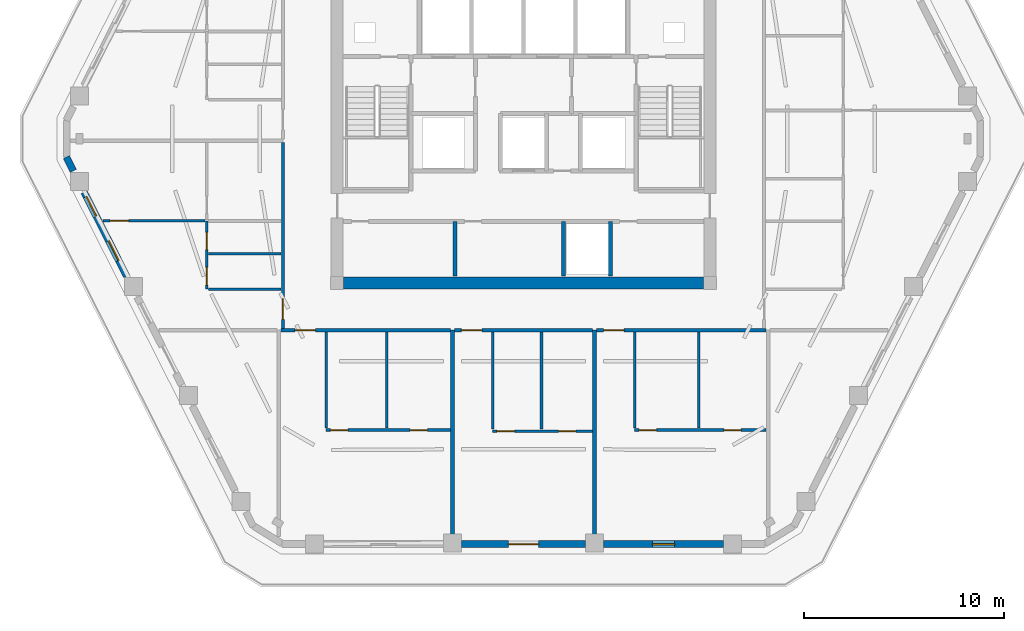
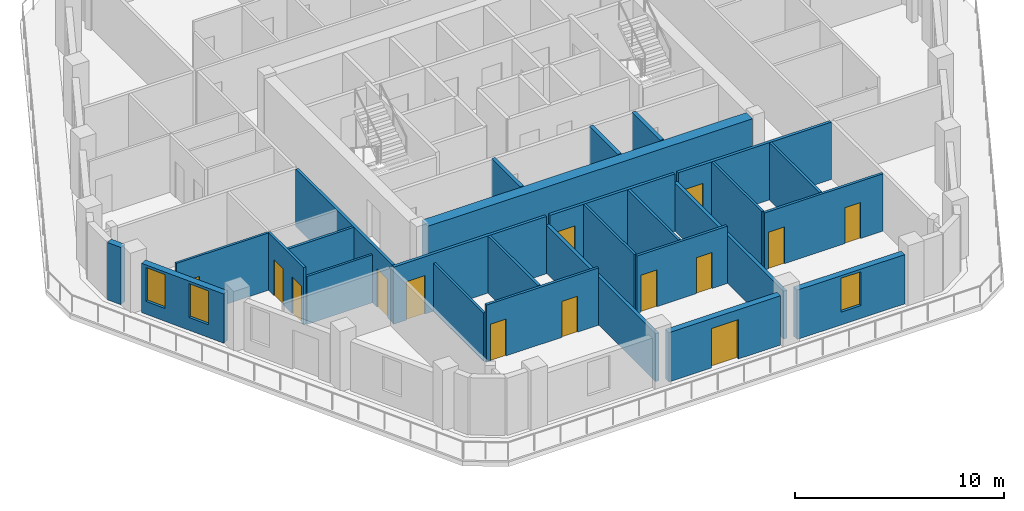
# One storey, part 3 of 10: 27 walls, 14 doors, 3 windows, 17 openings.
"""IFC4 building model written with IfcOpenShell, lengths in metres."""

from ifc_helpers import new_model, si_unit, direction, frame, frame_2d, origin, place, context, subcontext, project, spatial, rectangle, extrude, material, layer, layer_set, type_object, element, fill, save


model = new_model("IFC4")

# Units and contexts
model_context = context("Model", 3, precision=1e-05, world=origin(), true_north=direction((0.0, 1.0)))
body_context = subcontext(model_context, "Body", "Model", "MODEL_VIEW")
ifc_project = project(units=[si_unit("LENGTHUNIT", "METRE"), si_unit("AREAUNIT", "SQUARE_METRE"), si_unit("VOLUMEUNIT", "CUBIC_METRE"), si_unit("PLANEANGLEUNIT", "RADIAN"), si_unit("MASSUNIT", "GRAM", prefix="KILO")], contexts=[model_context])

# Site, building, storey
site_placement = place(None, origin())
site = spatial("IfcSite", under=ifc_project, at=site_placement, CompositionType="ELEMENT")
building_placement = place(site_placement, origin())
building = spatial("IfcBuilding", under=site, at=building_placement, Name="Cinnabar Lancet Tower", CompositionType="ELEMENT")
storey_placement = place(building_placement, frame((0.0, 0.0, 171.89990234375)))
storey = spatial("IfcBuildingStorey", under=building, at=storey_placement, Name="L45", CompositionType="ELEMENT", Elevation=171.89990234375)

# Wall, opening, door
ifc_material_1 = material(Name="Acoustic twin-stud gypsum partition", Category="gypsum")
ifc_layer_1 = layer(ifc_material_1, 0.159912109375)
ifc_layer_set_1 = layer_set([ifc_layer_1], Name="Acoustic twin-stud gypsum partition")
wall_type_1 = type_object("IfcWallType", Name="ARC-WL-CORR-160", PredefinedType="PARTITIONING", material=ifc_layer_set_1)
wall_1_placement = place(storey_placement, frame((20.294921875, 16.25, 0.0), z_axis=(0.0, 0.0, 1.0), x_axis=(1.0, 0.0, 0.0)))
wall_1 = element("IfcWall", 1, at=wall_1_placement, inside=storey, type_object=wall_type_1, Name="L45 Unit S01 Corridor Wall", PredefinedType="PARTITIONING", context=body_context, shape_type="SweptSolid", body=[
    extrude(rectangle(XDim=8.467041015625, YDim=0.159912109375, at=frame_2d((4.2333984375, 0.0))), origin(), (0.0, 0.0, 1.0), 3.35009765625),
])
opening_1_placement = place(wall_1_placement, frame((0.705078125, 0.0, 0.0)))
opening_1 = element("IfcOpeningElement", 2, at=opening_1_placement, cuts=wall_1, Name="Opening UD-01", PredefinedType="OPENING", context=body_context, shape_type="SweptSolid", body=[
    extrude(rectangle(XDim=1.02001953125, YDim=2.25, at=frame_2d((0.510009765625, 1.125))), frame((0.0, 0.08984375, 0.0), z_axis=(0.0, -1.0, 0.0), x_axis=(1.0, 0.0, 0.0)), (0.0, 0.0, 1.0), 0.179931640625),
])
ifc_material_2 = material(Name="Solid timber fire-rated apartment entrance door", Category="wood")
door_type_1 = type_object("IfcDoorType", Name="ARC-DR-UNIT", OperationType="NOTDEFINED", PredefinedType="DOOR", material=ifc_material_2)
door_1_placement = place(opening_1_placement, origin())
door_1 = element("IfcDoor", 3, at=door_1_placement, inside=storey, type_object=door_type_1, Name="DR-L45-S01-ENT", OperationType="SINGLE_SWING_LEFT", OverallHeight=2.25, OverallWidth=1.02001953125, PredefinedType="DOOR", context=body_context, shape_type="SweptSolid", body=[
    extrude(rectangle(XDim=1.02001953125, YDim=2.25, at=frame_2d((0.510009765625, 1.125))), frame((0.0, 0.02490234375, 0.0), z_axis=(0.0, -1.0, 0.0), x_axis=(1.0, 0.0, 0.0)), (0.0, 0.0, 1.0), 0.050048828125),
])
fill(opening_1, door_1)

wall_2_placement = place(storey_placement, frame((28.951904296875, 16.25, 0.0), z_axis=(0.0, 0.0, 1.0), x_axis=(1.0, 0.0, 0.0)))
wall_2 = element("IfcWall", 4, at=wall_2_placement, inside=storey, type_object=wall_type_1, Name="L45 Unit S02 Corridor Wall", PredefinedType="PARTITIONING", context=body_context, shape_type="SweptSolid", body=[
    extrude(rectangle(XDim=6.89599609375, YDim=0.159912109375, at=frame_2d((3.447998046875, 0.0))), origin(), (0.0, 0.0, 1.0), 3.35009765625),
])
opening_2_placement = place(wall_2_placement, frame((0.35498046875, 0.0, 0.0)))
opening_2 = element("IfcOpeningElement", 5, at=opening_2_placement, cuts=wall_2, Name="Opening UD-01", PredefinedType="OPENING", context=body_context, shape_type="SweptSolid", body=[
    extrude(rectangle(XDim=1.02001953125, YDim=2.25, at=frame_2d((0.510009765625, 1.125))), frame((0.0, 0.08984375, 0.0), z_axis=(0.0, -1.0, 0.0), x_axis=(1.0, 0.0, 0.0)), (0.0, 0.0, 1.0), 0.179931640625),
])
door_2_placement = place(opening_2_placement, origin())
door_2 = element("IfcDoor", 6, at=door_2_placement, inside=storey, type_object=door_type_1, Name="DR-L45-S02-ENT", OperationType="SINGLE_SWING_RIGHT", OverallHeight=2.25, OverallWidth=1.02001953125, PredefinedType="DOOR", context=body_context, shape_type="SweptSolid", body=[
    extrude(rectangle(XDim=1.02001953125, YDim=2.25, at=frame_2d((0.510009765625, 1.125))), frame((0.0, 0.02490234375, 0.0), z_axis=(0.0, -1.0, 0.0), x_axis=(1.0, 0.0, 0.0)), (0.0, 0.0, 1.0), 0.050048828125),
])
fill(opening_2, door_2)

wall_3_placement = place(storey_placement, frame((36.0380859375, 16.25, 0.0), z_axis=(0.0, 0.0, 1.0), x_axis=(1.0, 0.0, 0.0)))
wall_3 = element("IfcWall", 7, at=wall_3_placement, inside=storey, type_object=wall_type_1, Name="L45 Unit S03 Corridor Wall", PredefinedType="PARTITIONING", context=body_context, shape_type="SweptSolid", body=[
    extrude(rectangle(XDim=8.466796875, YDim=0.159912109375, at=frame_2d((4.2333984375, 0.0))), origin(), (0.0, 0.0, 1.0), 3.35009765625),
])
opening_3_placement = place(wall_3_placement, frame((0.35498046875, 0.0, 0.0)))
opening_3 = element("IfcOpeningElement", 8, at=opening_3_placement, cuts=wall_3, Name="Opening UD-01", PredefinedType="OPENING", context=body_context, shape_type="SweptSolid", body=[
    extrude(rectangle(XDim=1.02001953125, YDim=2.25, at=frame_2d((0.510009765625, 1.125))), frame((0.0, 0.08984375, 0.0), z_axis=(0.0, -1.0, 0.0), x_axis=(1.0, 0.0, 0.0)), (0.0, 0.0, 1.0), 0.179931640625),
])
door_3_placement = place(opening_3_placement, origin())
door_3 = element("IfcDoor", 9, at=door_3_placement, inside=storey, type_object=door_type_1, Name="DR-L45-S03-ENT", OperationType="SINGLE_SWING_LEFT", OverallHeight=2.25, OverallWidth=1.02001953125, PredefinedType="DOOR", context=body_context, shape_type="SweptSolid", body=[
    extrude(rectangle(XDim=1.02001953125, YDim=2.25, at=frame_2d((0.510009765625, 1.125))), frame((0.0, 0.02490234375, 0.0), z_axis=(0.0, -1.0, 0.0), x_axis=(1.0, 0.0, 0.0)), (0.0, 0.0, 1.0), 0.050048828125),
])
fill(opening_3, door_3)

wall_4_placement = place(storey_placement, frame((20.39990234375, 16.344970703125, 0.0), z_axis=(0.0, 0.0, 1.0), x_axis=(0.0, 1.0, 0.0)))
wall_4 = element("IfcWall", 10, at=wall_4_placement, inside=storey, type_object=wall_type_1, Name="UW-L45-W01-COR", PredefinedType="PARTITIONING", context=body_context, shape_type="SweptSolid", body=[
    extrude(rectangle(XDim=9.260009765625, YDim=0.159912109375, at=frame_2d((4.6298828125, 0.0))), origin(), (0.0, 0.0, 1.0), 3.35009765625),
])
opening_4_placement = place(wall_4_placement, frame((0.449951171875, 0.0, 0.0)))
opening_4 = element("IfcOpeningElement", 11, at=opening_4_placement, cuts=wall_4, Name="Opening UD-01", PredefinedType="OPENING", context=body_context, shape_type="SweptSolid", body=[
    extrude(rectangle(XDim=1.02001953125, YDim=2.25, at=frame_2d((0.510009765625, 1.125))), frame((0.0, 0.08984375, 0.0), z_axis=(0.0, -1.0, 0.0), x_axis=(1.0, 0.0, 0.0)), (0.0, 0.0, 1.0), 0.179931640625),
])
door_4_placement = place(opening_4_placement, origin())
door_4 = element("IfcDoor", 12, at=door_4_placement, inside=storey, type_object=door_type_1, Name="DR-L45-W01-ENT", OperationType="SINGLE_SWING_LEFT", OverallHeight=2.25, OverallWidth=1.02001953125, PredefinedType="DOOR", context=body_context, shape_type="SweptSolid", body=[
    extrude(rectangle(XDim=1.02001953125, YDim=2.25, at=frame_2d((0.510009765625, 1.125))), frame((0.0, 0.02490234375, 0.0), z_axis=(0.0, -1.0, 0.0), x_axis=(1.0, 0.0, 0.0)), (0.0, 0.0, 1.0), 0.050048828125),
])
fill(opening_4, door_4)

# Walls
ifc_material_3 = material(Name="Fire-rated twin-frame acoustic drywall", Category="gypsum")
ifc_layer_2 = layer(ifc_material_3, 0.179931640625)
ifc_layer_set_2 = layer_set([ifc_layer_2], Name="Fire-rated twin-frame acoustic drywall")
wall_type_2 = type_object("IfcWallType", Name="ARC-WL-PARTY-180", PredefinedType="PARTITIONING", material=ifc_layer_set_2)
for number, where, z_axis, x_axis, name in (
    (13, (28.85693359375, 5.7548828125, 0.0), (0.0, 0.0, 1.0), (0.0, 1.0, 0.0), "PW-L45-SPTY-289"),
    (14, (35.943115234375, 5.7548828125, 0.0), (0.0, 0.0, 1.0), (0.0, 1.0, 0.0), "PW-L45-SPTY-359"),
):
    element("IfcWall", number, at=place(storey_placement, frame(where, z_axis=z_axis, x_axis=x_axis)), inside=storey, type_object=wall_type_2, Name=name, PredefinedType="PARTITIONING", context=body_context, shape_type="SweptSolid", body=[
        extrude(rectangle(XDim=10.4951171875, YDim=0.179931640625, at=frame_2d((5.24755859375, 0.0))), origin(), (0.0, 0.0, 1.0), 2.80712890625),
    ])
ifc_material_4 = material(Name="Autoclaved aerated concrete blockwork", Category="masonry")
ifc_layer_3 = layer(ifc_material_4, 0.199951171875)
ifc_layer_set_3 = layer_set([ifc_layer_3], Name="Autoclaved aerated concrete blockwork")
wall_type_3 = type_object("IfcWallType", Name="ARC-WL-SHAFT-200", PredefinedType="PLUMBINGWALL", material=ifc_layer_set_3)
for number, where, z_axis, x_axis, name in (
    (15, (34.39990234375, 18.949951171875, 0.0), (0.0, 0.0, 1.0), (0.0, 1.0, 0.0), "CW-SB-3440-L45"),
    (16, (36.75, 18.949951171875, 0.0), (0.0, 0.0, 1.0), (0.0, 1.0, 0.0), "CW-SB-3675-L45"),
    (17, (28.989990234375, 18.949951171875, 0.0), (0.0, 0.0, 1.0), (0.0, 1.0, 0.0), "CW-SB-2899-L45"),
):
    element("IfcWall", number, at=place(storey_placement, frame(where, z_axis=z_axis, x_axis=x_axis)), inside=storey, type_object=wall_type_3, Name=name, PredefinedType="PLUMBINGWALL", context=body_context, shape_type="SweptSolid", body=[
        extrude(rectangle(XDim=2.72998046875, YDim=0.199951171875, at=frame_2d((1.364990234375, 0.0))), origin(), (0.0, 0.0, 1.0), 3.35009765625),
    ])
ifc_material_5 = material(Name="Gypsum plasterboard stud partition", Category="gypsum")
ifc_layer_4 = layer(ifc_material_5, 0.125)
ifc_layer_set_4 = layer_set([ifc_layer_4], Name="Gypsum plasterboard stud partition")
wall_type_4 = type_object("IfcWallType", Name="ARC-WL-UNIT-125", PredefinedType="PARTITIONING", material=ifc_layer_set_4)
wall_5_placement = place(storey_placement, frame((22.550048828125, 11.375, 0.0), z_axis=(0.0, 0.0, 1.0), x_axis=(0.0, 1.0, 0.0)))
element("IfcWall", 18, at=wall_5_placement, inside=storey, type_object=wall_type_4, Name="UW-L45-S01-FOYE", PredefinedType="PARTITIONING", context=body_context, shape_type="SweptSolid", body=[
    extrude(rectangle(XDim=4.7900390625, YDim=0.125, at=frame_2d((2.39501953125, 0.0))), origin(), (0.0, 0.0, 1.0), 2.80712890625),
])
wall_6_placement = place(storey_placement, frame((30.85693359375, 11.31689453125, 0.0), z_axis=(0.0, 0.0, 1.0), x_axis=(0.0, 1.0, 0.0)))
element("IfcWall", 19, at=wall_6_placement, inside=storey, type_object=wall_type_4, Name="UW-L45-S02-FOYE", PredefinedType="PARTITIONING", context=body_context, shape_type="SweptSolid", body=[
    extrude(rectangle(XDim=4.84814453125, YDim=0.125, at=frame_2d((2.424072265625, 0.0))), origin(), (0.0, 0.0, 1.0), 3.35009765625),
])
wall_7_placement = place(storey_placement, frame((37.943115234375, 11.375, 0.0), z_axis=(0.0, 0.0, 1.0), x_axis=(0.0, 1.0, 0.0)))
element("IfcWall", 20, at=wall_7_placement, inside=storey, type_object=wall_type_4, Name="UW-L45-S03-FOYE", PredefinedType="PARTITIONING", context=body_context, shape_type="SweptSolid", body=[
    extrude(rectangle(XDim=4.7900390625, YDim=0.125, at=frame_2d((2.39501953125, 0.0))), origin(), (0.0, 0.0, 1.0), 3.35009765625),
])
wall_8_placement = place(storey_placement, frame((16.68505859375, 18.300048828125, 0.0), z_axis=(0.0, 0.0, 1.0), x_axis=(1.0, 0.0, 0.0)))
element("IfcWall", 21, at=wall_8_placement, inside=storey, type_object=wall_type_4, Name="UW-L45-W01-FOYN", PredefinedType="PARTITIONING", context=body_context, shape_type="SweptSolid", body=[
    extrude(rectangle(XDim=3.6298828125, YDim=0.125, at=frame_2d((1.81494140625, 0.0))), origin(), (0.0, 0.0, 1.0), 2.80712890625),
])

# Wall, opening, door
wall_9_placement = place(storey_placement, frame((11.43798828125, 21.699951171875, 0.0), z_axis=(0.0, 0.0, 1.0), x_axis=(1.0, 0.0, 0.0)))
wall_9 = element("IfcWall", 22, at=wall_9_placement, inside=storey, type_object=wall_type_4, Name="UW-L45-W01-MBN", PredefinedType="PARTITIONING", context=body_context, shape_type="SweptSolid", body=[
    extrude(rectangle(XDim=5.0869140625, YDim=0.125, at=frame_2d((2.54345703125, 0.0))), origin(), (0.0, 0.0, 1.0), 3.35009765625),
])
opening_5_placement = place(wall_9_placement, frame((0.35009765625, 0.0, 0.0)))
opening_5 = element("IfcOpeningElement", 23, at=opening_5_placement, cuts=wall_9, Name="Opening RD-01", PredefinedType="OPENING", context=body_context, shape_type="SweptSolid", body=[
    extrude(rectangle(XDim=0.919921875, YDim=2.14990234375, at=frame_2d((0.4599609375, 1.074951171875))), frame((0.0, 0.072509765625, 0.0), z_axis=(0.0, -1.0, 0.0), x_axis=(1.0, 0.0, 0.0)), (0.0, 0.0, 1.0), 0.14501953125),
])
ifc_material_6 = material(Name="Engineered timber bedroom door", Category="wood")
door_type_2 = type_object("IfcDoorType", Name="ARC-DR-ROOM", OperationType="NOTDEFINED", PredefinedType="DOOR", material=ifc_material_6)
door_5_placement = place(opening_5_placement, origin())
door_5 = element("IfcDoor", 24, at=door_5_placement, inside=storey, type_object=door_type_2, Name="DR-L45-W01-MBD", OperationType="SINGLE_SWING_LEFT", OverallHeight=2.14990234375, OverallWidth=0.919921875, PredefinedType="DOOR", context=body_context, shape_type="SweptSolid", body=[
    extrude(rectangle(XDim=0.919921875, YDim=2.14990234375, at=frame_2d((0.4599609375, 1.074951171875))), frame((0.0, 0.02490234375, 0.0), z_axis=(0.0, -1.0, 0.0), x_axis=(1.0, 0.0, 0.0)), (0.0, 0.0, 1.0), 0.050048828125),
])
fill(opening_5, door_5)

# Wall, openings, doors
ifc_material_7 = material(Name="Moisture-resistant cement-board plumbing wall", Category="masonry")
ifc_layer_5 = layer(ifc_material_7, 0.139892578125)
ifc_layer_set_5 = layer_set([ifc_layer_5], Name="Moisture-resistant cement-board plumbing wall")
wall_type_5 = type_object("IfcWallType", Name="ARC-WL-WET-140", PredefinedType="PLUMBINGWALL", material=ifc_layer_set_5)
wall_10_placement = place(storey_placement, frame((22.550048828125, 11.27001953125, 0.0), z_axis=(0.0, 0.0, 1.0), x_axis=(1.0, 0.0, 0.0)))
wall_10 = element("IfcWall", 25, at=wall_10_placement, inside=storey, type_object=wall_type_5, Name="UW-L45-S01-SPL", PredefinedType="PLUMBINGWALL", context=body_context, shape_type="SweptSolid", body=[
    extrude(rectangle(XDim=6.2119140625, YDim=0.139892578125, at=frame_2d((3.10595703125, 0.0))), origin(), (0.0, 0.0, 1.0), 3.35009765625),
])
opening_6_placement = place(wall_10_placement, frame((4.195068359375, 0.0, 0.0)))
opening_6 = element("IfcOpeningElement", 26, at=opening_6_placement, cuts=wall_10, Name="Opening BD-01", PredefinedType="OPENING", context=body_context, shape_type="SweptSolid", body=[
    extrude(rectangle(XDim=0.860107421875, YDim=2.10009765625, at=frame_2d((0.43017578125, 1.050048828125))), frame((0.0, 0.079833984375, 0.0), z_axis=(0.0, -1.0, 0.0), x_axis=(1.0, 0.0, 0.0)), (0.0, 0.0, 1.0), 0.159912109375),
])
opening_7_placement = place(wall_10_placement, frame((0.219970703125, 0.0, 0.0)))
opening_7 = element("IfcOpeningElement", 27, at=opening_7_placement, cuts=wall_10, Name="Opening RD-02", PredefinedType="OPENING", context=body_context, shape_type="SweptSolid", body=[
    extrude(rectangle(XDim=0.8798828125, YDim=2.14990234375, at=frame_2d((0.43994140625, 1.074951171875))), frame((0.0, 0.079833984375, 0.0), z_axis=(0.0, -1.0, 0.0), x_axis=(1.0, 0.0, 0.0)), (0.0, 0.0, 1.0), 0.159912109375),
])
ifc_material_8 = material(Name="Moisture-resistant timber bathroom door", Category="wood")
door_type_3 = type_object("IfcDoorType", Name="ARC-DR-BATH", OperationType="NOTDEFINED", PredefinedType="DOOR", material=ifc_material_8)
door_6_placement = place(opening_6_placement, origin())
door_6 = element("IfcDoor", 28, at=door_6_placement, inside=storey, type_object=door_type_3, Name="DR-L45-S01-BTH", OperationType="SINGLE_SWING_LEFT", OverallHeight=2.10009765625, OverallWidth=0.860107421875, PredefinedType="DOOR", context=body_context, shape_type="SweptSolid", body=[
    extrude(rectangle(XDim=0.860107421875, YDim=2.10009765625, at=frame_2d((0.43017578125, 1.050048828125))), frame((0.0, 0.02490234375, 0.0), z_axis=(0.0, -1.0, 0.0), x_axis=(1.0, 0.0, 0.0)), (0.0, 0.0, 1.0), 0.050048828125),
])
fill(opening_6, door_6)
ifc_material_9 = material(Name="Engineered timber study door", Category="wood")
door_type_4 = type_object("IfcDoorType", Name="ARC-DR-STUDY", OperationType="NOTDEFINED", PredefinedType="DOOR", material=ifc_material_9)
door_7_placement = place(opening_7_placement, origin())
door_7 = element("IfcDoor", 29, at=door_7_placement, inside=storey, type_object=door_type_4, Name="DR-L45-S01-KIT", OperationType="SINGLE_SWING_RIGHT", OverallHeight=2.14990234375, OverallWidth=0.8798828125, PredefinedType="DOOR", context=body_context, shape_type="SweptSolid", body=[
    extrude(rectangle(XDim=0.8798828125, YDim=2.14990234375, at=frame_2d((0.43994140625, 1.074951171875))), frame((0.0, 0.02490234375, 0.0), z_axis=(0.0, -1.0, 0.0), x_axis=(1.0, 0.0, 0.0)), (0.0, 0.0, 1.0), 0.050048828125),
])
fill(opening_7, door_7)

# Wall
wall_11_placement = place(storey_placement, frame((25.576904296875, 11.375, 0.0), z_axis=(0.0, 0.0, 1.0), x_axis=(0.0, 1.0, 0.0)))
element("IfcWall", 30, at=wall_11_placement, inside=storey, type_object=wall_type_5, Name="UW-L45-S01-KDV", PredefinedType="PLUMBINGWALL", context=body_context, shape_type="SweptSolid", body=[
    extrude(rectangle(XDim=4.7900390625, YDim=0.139892578125, at=frame_2d((2.39501953125, 0.0))), origin(), (0.0, 0.0, 1.0), 3.35009765625),
])

# Wall, openings, doors
wall_12_placement = place(storey_placement, frame((30.85693359375, 11.2119140625, 0.0), z_axis=(0.0, 0.0, 1.0), x_axis=(1.0, 0.0, 0.0)))
wall_12 = element("IfcWall", 31, at=wall_12_placement, inside=storey, type_object=wall_type_5, Name="UW-L45-S02-SPL", PredefinedType="PLUMBINGWALL", context=body_context, shape_type="SweptSolid", body=[
    extrude(rectangle(XDim=4.990966796875, YDim=0.139892578125, at=frame_2d((2.49560546875, 0.0))), origin(), (0.0, 0.0, 1.0), 3.35009765625),
])
opening_8_placement = place(wall_12_placement, frame((3.291015625, 0.0, 0.0)))
opening_8 = element("IfcOpeningElement", 32, at=opening_8_placement, cuts=wall_12, Name="Opening BD-01", PredefinedType="OPENING", context=body_context, shape_type="SweptSolid", body=[
    extrude(rectangle(XDim=0.860107421875, YDim=2.10009765625, at=frame_2d((0.43017578125, 1.050048828125))), frame((0.0, 0.079833984375, 0.0), z_axis=(0.0, -1.0, 0.0), x_axis=(1.0, 0.0, 0.0)), (0.0, 0.0, 1.0), 0.159912109375),
])
opening_9_placement = place(wall_12_placement, frame((0.219970703125, 0.0, 0.0)))
opening_9 = element("IfcOpeningElement", 33, at=opening_9_placement, cuts=wall_12, Name="Opening RD-02", PredefinedType="OPENING", context=body_context, shape_type="SweptSolid", body=[
    extrude(rectangle(XDim=0.8798828125, YDim=2.14990234375, at=frame_2d((0.43994140625, 1.074951171875))), frame((0.0, 0.079833984375, 0.0), z_axis=(0.0, -1.0, 0.0), x_axis=(1.0, 0.0, 0.0)), (0.0, 0.0, 1.0), 0.159912109375),
])
door_8_placement = place(opening_8_placement, origin())
door_8 = element("IfcDoor", 34, at=door_8_placement, inside=storey, type_object=door_type_3, Name="DR-L45-S02-BTH", OperationType="SINGLE_SWING_RIGHT", OverallHeight=2.10009765625, OverallWidth=0.860107421875, PredefinedType="DOOR", context=body_context, shape_type="SweptSolid", body=[
    extrude(rectangle(XDim=0.860107421875, YDim=2.10009765625, at=frame_2d((0.43017578125, 1.050048828125))), frame((0.0, 0.02490234375, 0.0), z_axis=(0.0, -1.0, 0.0), x_axis=(1.0, 0.0, 0.0)), (0.0, 0.0, 1.0), 0.050048828125),
])
fill(opening_8, door_8)
door_9_placement = place(opening_9_placement, origin())
door_9 = element("IfcDoor", 35, at=door_9_placement, inside=storey, type_object=door_type_4, Name="DR-L45-S02-KIT", OperationType="SINGLE_SWING_LEFT", OverallHeight=2.14990234375, OverallWidth=0.8798828125, PredefinedType="DOOR", context=body_context, shape_type="SweptSolid", body=[
    extrude(rectangle(XDim=0.8798828125, YDim=2.14990234375, at=frame_2d((0.43994140625, 1.074951171875))), frame((0.0, 0.02490234375, 0.0), z_axis=(0.0, -1.0, 0.0), x_axis=(1.0, 0.0, 0.0)), (0.0, 0.0, 1.0), 0.050048828125),
])
fill(opening_9, door_9)

# Wall
wall_13_placement = place(storey_placement, frame((33.298095703125, 11.31689453125, 0.0), z_axis=(0.0, 0.0, 1.0), x_axis=(0.0, 1.0, 0.0)))
element("IfcWall", 36, at=wall_13_placement, inside=storey, type_object=wall_type_5, Name="UW-L45-S02-KDV", PredefinedType="PLUMBINGWALL", context=body_context, shape_type="SweptSolid", body=[
    extrude(rectangle(XDim=4.84814453125, YDim=0.139892578125, at=frame_2d((2.424072265625, 0.0))), origin(), (0.0, 0.0, 1.0), 3.35009765625),
])

# Wall, openings, doors
wall_14_placement = place(storey_placement, frame((37.943115234375, 11.27001953125, 0.0), z_axis=(0.0, 0.0, 1.0), x_axis=(1.0, 0.0, 0.0)))
wall_14 = element("IfcWall", 37, at=wall_14_placement, inside=storey, type_object=wall_type_5, Name="UW-L45-S03-SPL", PredefinedType="PLUMBINGWALL", context=body_context, shape_type="SweptSolid", body=[
    extrude(rectangle(XDim=6.561767578125, YDim=0.139892578125, at=frame_2d((3.28076171875, 0.0))), origin(), (0.0, 0.0, 1.0), 3.35009765625),
])
opening_10_placement = place(wall_14_placement, frame((4.4541015625, 0.0, 0.0)))
opening_10 = element("IfcOpeningElement", 38, at=opening_10_placement, cuts=wall_14, Name="Opening BD-01", PredefinedType="OPENING", context=body_context, shape_type="SweptSolid", body=[
    extrude(rectangle(XDim=0.860107421875, YDim=2.10009765625, at=frame_2d((0.43017578125, 1.050048828125))), frame((0.0, 0.079833984375, 0.0), z_axis=(0.0, -1.0, 0.0), x_axis=(1.0, 0.0, 0.0)), (0.0, 0.0, 1.0), 0.159912109375),
])
opening_11_placement = place(wall_14_placement, frame((0.219970703125, 0.0, 0.0)))
opening_11 = element("IfcOpeningElement", 39, at=opening_11_placement, cuts=wall_14, Name="Opening RD-02", PredefinedType="OPENING", context=body_context, shape_type="SweptSolid", body=[
    extrude(rectangle(XDim=0.8798828125, YDim=2.14990234375, at=frame_2d((0.43994140625, 1.074951171875))), frame((0.0, 0.079833984375, 0.0), z_axis=(0.0, -1.0, 0.0), x_axis=(1.0, 0.0, 0.0)), (0.0, 0.0, 1.0), 0.159912109375),
])
door_10_placement = place(opening_10_placement, origin())
door_10 = element("IfcDoor", 40, at=door_10_placement, inside=storey, type_object=door_type_3, Name="DR-L45-S03-BTH", OperationType="SINGLE_SWING_LEFT", OverallHeight=2.10009765625, OverallWidth=0.860107421875, PredefinedType="DOOR", context=body_context, shape_type="SweptSolid", body=[
    extrude(rectangle(XDim=0.860107421875, YDim=2.10009765625, at=frame_2d((0.43017578125, 1.050048828125))), frame((0.0, 0.02490234375, 0.0), z_axis=(0.0, -1.0, 0.0), x_axis=(1.0, 0.0, 0.0)), (0.0, 0.0, 1.0), 0.050048828125),
])
fill(opening_10, door_10)
door_11_placement = place(opening_11_placement, origin())
door_11 = element("IfcDoor", 41, at=door_11_placement, inside=storey, type_object=door_type_4, Name="DR-L45-S03-KIT", OperationType="SINGLE_SWING_RIGHT", OverallHeight=2.14990234375, OverallWidth=0.8798828125, PredefinedType="DOOR", context=body_context, shape_type="SweptSolid", body=[
    extrude(rectangle(XDim=0.8798828125, YDim=2.14990234375, at=frame_2d((0.43994140625, 1.074951171875))), frame((0.0, 0.02490234375, 0.0), z_axis=(0.0, -1.0, 0.0), x_axis=(1.0, 0.0, 0.0)), (0.0, 0.0, 1.0), 0.050048828125),
])
fill(opening_11, door_11)

# Wall
wall_15_placement = place(storey_placement, frame((41.137939453125, 11.375, 0.0), z_axis=(0.0, 0.0, 1.0), x_axis=(0.0, 1.0, 0.0)))
element("IfcWall", 42, at=wall_15_placement, inside=storey, type_object=wall_type_5, Name="UW-L45-S03-KDV", PredefinedType="PLUMBINGWALL", context=body_context, shape_type="SweptSolid", body=[
    extrude(rectangle(XDim=4.7900390625, YDim=0.139892578125, at=frame_2d((2.39501953125, 0.0))), origin(), (0.0, 0.0, 1.0), 3.35009765625),
])

# Wall, openings, doors
wall_16_placement = place(storey_placement, frame((16.60009765625, 18.300048828125, 0.0), z_axis=(0.0, 0.0, 1.0), x_axis=(0.0, 1.0, 0.0)))
wall_16 = element("IfcWall", 43, at=wall_16_placement, inside=storey, type_object=wall_type_5, Name="UW-L45-W01-SPL", PredefinedType="PLUMBINGWALL", context=body_context, shape_type="SweptSolid", body=[
    extrude(rectangle(XDim=3.39990234375, YDim=0.139892578125, at=frame_2d((1.699951171875, 0.0))), origin(), (0.0, 0.0, 1.0), 3.35009765625),
])
opening_12_placement = place(wall_16_placement, frame((0.199951171875, 0.0, 0.0)))
opening_12 = element("IfcOpeningElement", 44, at=opening_12_placement, cuts=wall_16, Name="Opening RD-02", PredefinedType="OPENING", context=body_context, shape_type="SweptSolid", body=[
    extrude(rectangle(XDim=0.8798828125, YDim=2.14990234375, at=frame_2d((0.43994140625, 1.074951171875))), frame((0.0, 0.079833984375, 0.0), z_axis=(0.0, -1.0, 0.0), x_axis=(1.0, 0.0, 0.0)), (0.0, 0.0, 1.0), 0.159912109375),
])
opening_13_placement = place(wall_16_placement, frame((1.968017578125, 0.0, 0.0)))
opening_13 = element("IfcOpeningElement", 45, at=opening_13_placement, cuts=wall_16, Name="Opening BD-01", PredefinedType="OPENING", context=body_context, shape_type="SweptSolid", body=[
    extrude(rectangle(XDim=0.860107421875, YDim=2.10009765625, at=frame_2d((0.43017578125, 1.050048828125))), frame((0.0, 0.079833984375, 0.0), z_axis=(0.0, -1.0, 0.0), x_axis=(1.0, 0.0, 0.0)), (0.0, 0.0, 1.0), 0.159912109375),
])
door_12_placement = place(opening_13_placement, origin())
door_12 = element("IfcDoor", 46, at=door_12_placement, inside=storey, type_object=door_type_3, Name="DR-L45-W01-BTH", OperationType="SINGLE_SWING_LEFT", OverallHeight=2.10009765625, OverallWidth=0.860107421875, PredefinedType="DOOR", context=body_context, shape_type="SweptSolid", body=[
    extrude(rectangle(XDim=0.860107421875, YDim=2.10009765625, at=frame_2d((0.43017578125, 1.050048828125))), frame((0.0, 0.02490234375, 0.0), z_axis=(0.0, -1.0, 0.0), x_axis=(1.0, 0.0, 0.0)), (0.0, 0.0, 1.0), 0.050048828125),
])
fill(opening_13, door_12)
door_13_placement = place(opening_12_placement, origin())
door_13 = element("IfcDoor", 47, at=door_13_placement, inside=storey, type_object=door_type_4, Name="DR-L45-W01-KIT", OperationType="SINGLE_SWING_RIGHT", OverallHeight=2.14990234375, OverallWidth=0.8798828125, PredefinedType="DOOR", context=body_context, shape_type="SweptSolid", body=[
    extrude(rectangle(XDim=0.8798828125, YDim=2.14990234375, at=frame_2d((0.43994140625, 1.074951171875))), frame((0.0, 0.02490234375, 0.0), z_axis=(0.0, -1.0, 0.0), x_axis=(1.0, 0.0, 0.0)), (0.0, 0.0, 1.0), 0.050048828125),
])
fill(opening_12, door_13)

# Wall
wall_17_placement = place(storey_placement, frame((16.68505859375, 20.068115234375, 0.0), z_axis=(0.0, 0.0, 1.0), x_axis=(1.0, 0.0, 0.0)))
element("IfcWall", 48, at=wall_17_placement, inside=storey, type_object=wall_type_5, Name="UW-L45-W01-KDV", PredefinedType="PLUMBINGWALL", context=body_context, shape_type="SweptSolid", body=[
    extrude(rectangle(XDim=3.6298828125, YDim=0.139892578125, at=frame_2d((1.81494140625, 0.0))), origin(), (0.0, 0.0, 1.0), 3.35009765625),
])

# Wall, opening, door
ifc_material_10 = material(Name="Cinnabar red clay brick", Category="masonry")
ifc_layer_6 = layer(ifc_material_10, 0.340087890625)
ifc_layer_set_6 = layer_set([ifc_layer_6], Name="Cinnabar red clay brick")
wall_type_6 = type_object("IfcWallType", Name="ENV-WL-BRK-RED-340", PredefinedType="STANDARD", material=ifc_layer_set_6)
wall_18_placement = place(storey_placement, frame((29.31103515625, 5.580078125, 0.0), z_axis=(0.0, 0.0, 1.0), x_axis=(1.0, 0.0, 0.0)))
wall_18 = element("IfcWall", 49, at=wall_18_placement, inside=storey, type_object=wall_type_6, Name="L45 Face 1 Masonry Bay Wall 3", PredefinedType="STANDARD", context=body_context, shape_type="SweptSolid", body=[
    extrude(rectangle(XDim=6.177978515625, YDim=0.340087890625, at=frame_2d((3.0888671875, 0.0))), origin(), (0.0, 0.0, 1.0), 2.883056640625),
])
opening_14_placement = place(wall_18_placement, frame((2.339111328125, 0.0, 0.0)))
opening_14 = element("IfcOpeningElement", 50, at=opening_14_placement, cuts=wall_18, Name="Opening TD-02", PredefinedType="OPENING", context=body_context, shape_type="SweptSolid", body=[
    extrude(rectangle(XDim=1.5, YDim=2.300048828125, at=frame_2d((0.75, 1.14990234375))), frame((0.0, 0.179931640625, 0.0), z_axis=(0.0, -1.0, 0.0), x_axis=(1.0, 0.0, 0.0)), (0.0, 0.0, 1.0), 0.360107421875),
])
ifc_material_11 = material(Name="Thermally broken low-E glazed sky-terrace double door", Category="wood")
door_type_5 = type_object("IfcDoorType", Name="ARC-DR-STER", OperationType="NOTDEFINED", PredefinedType="DOOR", material=ifc_material_11)
door_14_placement = place(opening_14_placement, origin())
door_14 = element("IfcDoor", 51, at=door_14_placement, inside=storey, type_object=door_type_5, Name="L45 Face 1 Glazed Terrace Door", OperationType="SINGLE_SWING_RIGHT", OverallHeight=2.300048828125, OverallWidth=1.5, PredefinedType="DOOR", context=body_context, shape_type="SweptSolid", body=[
    extrude(rectangle(XDim=1.5, YDim=2.300048828125, at=frame_2d((0.75, 1.14990234375))), frame((0.0, 0.02490234375, 0.0), z_axis=(0.0, -1.0, 0.0), x_axis=(1.0, 0.0, 0.0)), (0.0, 0.0, 1.0), 0.050048828125),
])
fill(opening_14, door_14)

# Wall, opening, window
wall_19_placement = place(storey_placement, frame((36.39697265625, 5.580078125, 0.0), z_axis=(0.0, 0.0, 1.0), x_axis=(1.0, 0.0, 0.0)))
wall_19 = element("IfcWall", 52, at=wall_19_placement, inside=storey, type_object=wall_type_6, Name="L45 Face 1 Masonry Bay Wall 4", PredefinedType="STANDARD", context=body_context, shape_type="SweptSolid", body=[
    extrude(rectangle(XDim=5.969970703125, YDim=0.340087890625, at=frame_2d((2.98486328125, 0.0))), origin(), (0.0, 0.0, 1.0), 2.883056640625),
])
opening_15_placement = place(wall_19_placement, frame((2.43505859375, 0.0, 0.75)))
opening_15 = element("IfcOpeningElement", 53, at=opening_15_placement, cuts=wall_19, Name="Opening WN-04", PredefinedType="OPENING", context=body_context, shape_type="SweptSolid", body=[
    extrude(rectangle(XDim=1.10009765625, YDim=1.98291015625, at=frame_2d((0.550048828125, 0.991455078125))), frame((0.0, 0.179931640625, 0.0), z_axis=(0.0, -1.0, 0.0), x_axis=(1.0, 0.0, 0.0)), (0.0, 0.0, 1.0), 0.360107421875),
])
ifc_material_12 = material(Name="Thermally broken bronze-anodized aluminium tall lancet window", Category="aluminium")
window_type = type_object("IfcWindowType", Name="ENV-WN-LANCET-1100", PartitioningType="SINGLE_PANEL", PredefinedType="WINDOW", material=ifc_material_12)
window_1_placement = place(opening_15_placement, origin())
window_1 = element("IfcWindow", 54, at=window_1_placement, inside=storey, type_object=window_type, Name="L45 Face 1 Gothic Lancet Window 4", OverallHeight=1.98291015625, OverallWidth=1.10009765625, PartitioningType="SINGLE_PANEL", PredefinedType="WINDOW", context=body_context, shape_type="SweptSolid", body=[
    extrude(rectangle(XDim=1.10009765625, YDim=1.98291015625, at=frame_2d((0.550048828125, 0.991455078125))), frame((0.0, 0.030029296875, 0.0), z_axis=(0.0, -1.0, 0.0), x_axis=(1.0, 0.0, 0.0)), (0.0, 0.0, 1.0), 0.06005859375),
])
fill(opening_15, window_1)

# Wall
wall_20_placement = place(storey_placement, frame((9.60107421875, 24.885009765625, 0.0), z_axis=(0.0, 0.0, 1.0), x_axis=(0.451262448184, -0.892391283496, 0.0)))
element("IfcWall", 55, at=wall_20_placement, inside=storey, type_object=wall_type_6, Name="L45 Face 6 Masonry Bay Wall 1", PredefinedType="STANDARD", context=body_context, shape_type="SweptSolid", body=[
    extrude(rectangle(XDim=0.77099609375, YDim=0.340087890625, at=frame_2d((0.385498046875, 0.0))), origin(), (0.0, 0.0, 1.0), 3.35009765625),
])

# Wall, openings, windows
wall_21_placement = place(storey_placement, frame((10.485107421875, 23.136962890625, 0.0), z_axis=(0.0, 0.0, 1.0), x_axis=(0.451447222193, -0.892297823361, 0.0)))
wall_21 = element("IfcWall", 56, at=wall_21_placement, inside=storey, type_object=wall_type_6, Name="L45 Face 6 Masonry Bay Wall 2", PredefinedType="STANDARD", context=body_context, shape_type="SweptSolid", body=[
    extrude(rectangle(XDim=4.699951171875, YDim=0.340087890625, at=frame_2d((2.35009765625, 0.0))), origin(), (0.0, 0.0, 1.0), 2.883056640625),
])
opening_16_placement = place(wall_21_placement, frame((0.24609375, 0.0, 0.75)))
opening_16 = element("IfcOpeningElement", 57, at=opening_16_placement, cuts=wall_21, Name="Opening WN-04", PredefinedType="OPENING", context=body_context, shape_type="SweptSolid", body=[
    extrude(rectangle(XDim=1.10009765625, YDim=1.98291015625, at=frame_2d((0.550048828125, 0.991455078125))), frame((0.0, 0.179931640625, 0.0), z_axis=(0.0, -1.0, 0.0), x_axis=(1.0, 0.0, 0.0)), (0.0, 0.0, 1.0), 0.360107421875),
])
opening_17_placement = place(wall_21_placement, frame((2.716064453125, 0.0, 0.75)))
opening_17 = element("IfcOpeningElement", 58, at=opening_17_placement, cuts=wall_21, Name="Opening WN-04", PredefinedType="OPENING", context=body_context, shape_type="SweptSolid", body=[
    extrude(rectangle(XDim=1.10009765625, YDim=1.98291015625, at=frame_2d((0.550048828125, 0.991455078125))), frame((0.0, 0.179931640625, 0.0), z_axis=(0.0, -1.0, 0.0), x_axis=(1.0, 0.0, 0.0)), (0.0, 0.0, 1.0), 0.360107421875),
])
window_2_placement = place(opening_16_placement, origin())
window_2 = element("IfcWindow", 59, at=window_2_placement, inside=storey, type_object=window_type, Name="L45 Face 6 Gothic Lancet Window 2", OverallHeight=1.98291015625, OverallWidth=1.10009765625, PartitioningType="SINGLE_PANEL", PredefinedType="WINDOW", context=body_context, shape_type="SweptSolid", body=[
    extrude(rectangle(XDim=1.10009765625, YDim=1.98291015625, at=frame_2d((0.550048828125, 0.991455078125))), frame((0.0, 0.030029296875, 0.0), z_axis=(0.0, -1.0, 0.0), x_axis=(1.0, 0.0, 0.0)), (0.0, 0.0, 1.0), 0.06005859375),
])
fill(opening_16, window_2)
window_3_placement = place(opening_17_placement, origin())
window_3 = element("IfcWindow", 60, at=window_3_placement, inside=storey, type_object=window_type, Name="L45 Split-Bay Gothic Lancet Window 133", OverallHeight=1.98291015625, OverallWidth=1.10009765625, PartitioningType="SINGLE_PANEL", PredefinedType="WINDOW", context=body_context, shape_type="SweptSolid", body=[
    extrude(rectangle(XDim=1.10009765625, YDim=1.98291015625, at=frame_2d((0.550048828125, 0.991455078125))), frame((0.0, 0.030029296875, 0.0), z_axis=(0.0, -1.0, 0.0), x_axis=(1.0, 0.0, 0.0)), (0.0, 0.0, 1.0), 0.06005859375),
])
fill(opening_17, window_3)

# Wall
ifc_material_13 = material(Name="Concrete C60/75", Category="concrete")
ifc_layer_7 = layer(ifc_material_13, 0.60009765625)
ifc_layer_set_7 = layer_set([ifc_layer_7], Name="Concrete C60/75")
wall_type_7 = type_object("IfcWallType", Name="STR-WL-CORE-600", PredefinedType="SHEAR", material=ifc_layer_set_7)
wall_22_placement = place(storey_placement, frame((23.425048828125, 18.60009765625, 0.0), z_axis=(0.0, 0.0, 1.0), x_axis=(1.0, 0.0, 0.0)))
element("IfcWall", 61, at=wall_22_placement, inside=storey, type_object=wall_type_7, Name="L45 Core Shear Wall S", PredefinedType="SHEAR", context=body_context, shape_type="SweptSolid", body=[
    extrude(rectangle(XDim=17.949951171875, YDim=0.60009765625, at=frame_2d((8.97509765625, 0.0))), origin(), (0.0, 0.0, 1.0), 3.35009765625),
])

save(model, "model.ifc")
